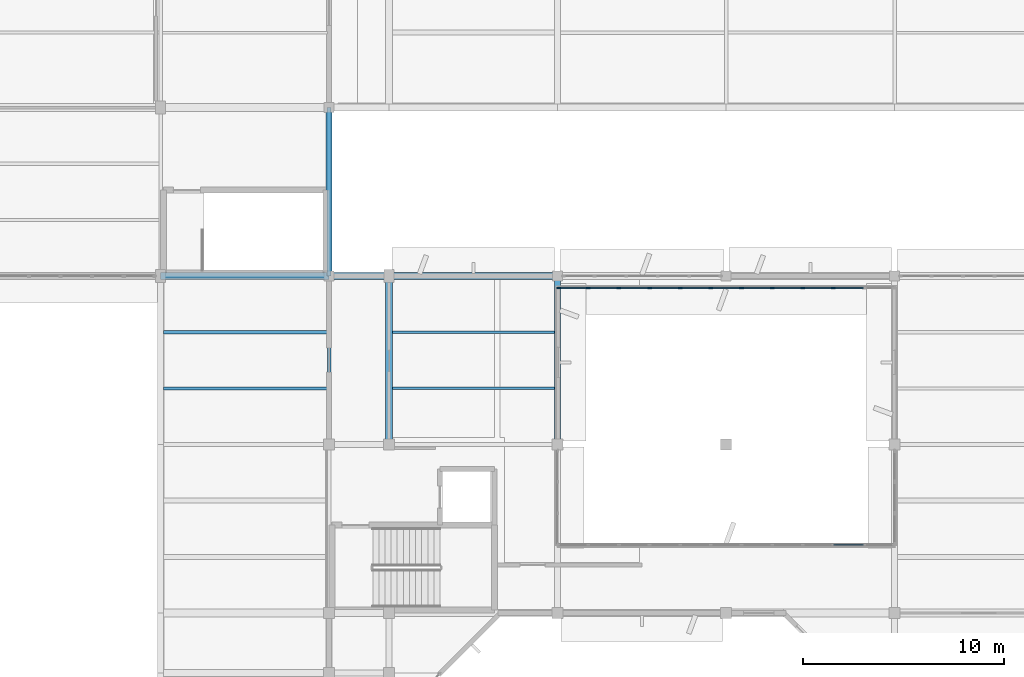
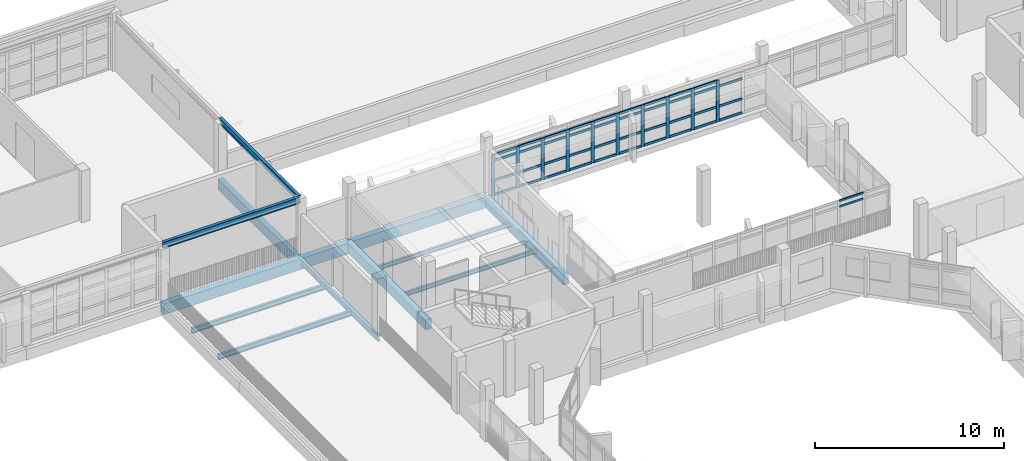
# One storey, part 30 of 92: 51 members, 13 beams, 2 elements without a shape of their own.
"""IFC4 building model written with IfcOpenShell, lengths in metres."""

from ifc_helpers import new_model, si_unit, direction, frame, origin, origin_2d, place, context, subcontext, project, spatial, rectangle, i_section, extrude, material, material_profile, profile_set, type_object, element, aggregate, save


model = new_model("IFC4")

# Units and contexts
model_context = context("Model", 3, precision=1e-05, world=origin(), true_north=direction((0.0, 1.0)))
body_context = subcontext(model_context, "Body", "Model", "MODEL_VIEW")
ifc_project = project(units=[si_unit("LENGTHUNIT", "METRE"), si_unit("AREAUNIT", "SQUARE_METRE"), si_unit("VOLUMEUNIT", "CUBIC_METRE"), si_unit("PLANEANGLEUNIT", "RADIAN"), si_unit("MASSUNIT", "GRAM", prefix="KILO")], contexts=[model_context])

# Site, building, storey
site_placement = place(None, origin())
site = spatial("IfcSite", under=ifc_project, at=site_placement, CompositionType="ELEMENT")
building_placement = place(site_placement, origin())
building = spatial("IfcBuilding", under=site, at=building_placement, Name="Vanh Quang Courtyard School", CompositionType="ELEMENT")
storey_placement = place(building_placement, frame((0.0, 0.0, 7.800048828125)))
storey = spatial("IfcBuildingStorey", under=building, at=storey_placement, Name="L02", CompositionType="ELEMENT", Elevation=7.800048828125)

# Beams
ifc_material_1 = material(Name="Concrete C35/45", Category="concrete")
ifc_material_profile_1 = material_profile(ifc_material_1, rectangle(XDim=0.35009765625, YDim=0.64990234375, at=origin_2d()), Name="RC-BM 350x650")
ifc_profile_set_1 = profile_set([ifc_material_profile_1], Name="Concrete C35/45")
beam_type_1 = type_object("IfcBeamType", Name="BM-RC-350x650", PredefinedType="BEAM", material=ifc_profile_set_1)
beam_1_placement = place(storey_placement, frame((40.800048828125, 79.800048828125, -0.625), z_axis=(0.0, 1.0, 0.0), x_axis=(-1.0, 0.0, 0.0)))
element("IfcBeam", 1, at=beam_1_placement, inside=storey, type_object=beam_type_1, Name="Beam B-05 (L02)", PredefinedType="BEAM", context=body_context, shape_type="SweptSolid", body=[
    extrude(rectangle(XDim=0.35009765625, YDim=0.64990234375, at=origin_2d()), origin(), (0.0, 0.0, 1.0), 8.39990234375),
])
ifc_material_profile_2 = material_profile(ifc_material_1, rectangle(XDim=0.35009765625, YDim=0.699951171875, at=origin_2d()), Name="RC-BM 350x700")
ifc_profile_set_2 = profile_set([ifc_material_profile_2], Name="Concrete C35/45")
beam_type_2 = type_object("IfcBeamType", Name="BM-RC-350x700", PredefinedType="BEAM", material=ifc_profile_set_2)
beam_2_placement = place(storey_placement, frame((29.39990234375, 88.199951171875, -0.670166015625), z_axis=(1.0, 0.0, 0.0), x_axis=(0.0, 1.0, 0.0)))
element("IfcBeam", 2, at=beam_2_placement, inside=storey, type_object=beam_type_2, Name="Beam B-04 (L02)", PredefinedType="BEAM", context=body_context, shape_type="SweptSolid", body=[
    extrude(rectangle(XDim=0.35009765625, YDim=0.699951171875, at=origin_2d()), origin(), (0.0, 0.0, 1.0), 8.400146484375),
])
beam_3_placement = place(storey_placement, frame((37.800048828125, 88.199951171875, -0.670166015625), z_axis=(1.0, 0.0, 0.0), x_axis=(0.0, 1.0, 0.0)))
element("IfcBeam", 3, at=beam_3_placement, inside=storey, type_object=beam_type_2, Name="Beam B-04 (L02)", PredefinedType="BEAM", context=body_context, shape_type="SweptSolid", body=[
    extrude(rectangle(XDim=0.35009765625, YDim=0.699951171875, at=origin_2d()), origin(), (0.0, 0.0, 1.0), 3.0),
])
beam_4_placement = place(storey_placement, frame((40.800048828125, 88.199951171875, -0.650146484375), z_axis=(1.0, 0.0, 0.0), x_axis=(0.0, 1.0, 0.0)))
element("IfcBeam", 4, at=beam_4_placement, inside=storey, type_object=beam_type_2, Name="Beam B-04 (L02)", PredefinedType="BEAM", context=body_context, shape_type="SweptSolid", body=[
    extrude(rectangle(XDim=0.35009765625, YDim=0.699951171875, at=origin_2d()), origin(), (0.0, 0.0, 1.0), 8.39990234375),
])
ifc_material_profile_3 = material_profile(ifc_material_1, rectangle(XDim=0.300048828125, YDim=0.699951171875, at=origin_2d()), Name="RC-SP 300x700")
ifc_profile_set_3 = profile_set([ifc_material_profile_3], Name="Concrete C35/45")
beam_type_3 = type_object("IfcBeamType", Name="BM-SP-300x700", PredefinedType="SPANDREL", material=ifc_profile_set_3)
beam_5_placement = place(storey_placement, frame((37.800048828125, 88.199951171875, -0.670166015625), z_axis=(0.0, 1.0, 0.0), x_axis=(-1.0, 0.0, 0.0)))
element("IfcBeam", 5, at=beam_5_placement, inside=storey, type_object=beam_type_3, Name="Beam BS-01 (L02)", PredefinedType="SPANDREL", context=body_context, shape_type="SweptSolid", body=[
    extrude(rectangle(XDim=0.300048828125, YDim=0.699951171875, at=origin_2d()), origin(), (0.0, 0.0, 1.0), 8.400146484375),
])
beam_6_placement = place(storey_placement, frame((49.199951171875, 79.800048828125, -0.650146484375), z_axis=(0.0, 1.0, 0.0), x_axis=(-1.0, 0.0, 0.0)))
element("IfcBeam", 6, at=beam_6_placement, inside=storey, type_object=beam_type_3, Name="Beam BS-01 (L02)", PredefinedType="SPANDREL", context=body_context, shape_type="SweptSolid", body=[
    extrude(rectangle(XDim=0.300048828125, YDim=0.699951171875, at=origin_2d()), origin(), (0.0, 0.0, 1.0), 8.39990234375),
])
ifc_material_2 = material(Name="Structural steel EN 10025-2 S355J2", Category="steel")
ifc_material_profile_4 = material_profile(ifc_material_2, i_section(OverallWidth=0.169921875, OverallDepth=0.360107421875, WebThickness=0.008056640625, FlangeThickness=0.0126953125, FilletRadius=0.01806640625, at=origin_2d()), Name="IPE 360")
ifc_profile_set_4 = profile_set([ifc_material_profile_4], Name="Structural steel EN 10025-2 S355J2")
beam_type_4 = type_object("IfcBeamType", Name="BM-STL-IPE360", PredefinedType="BEAM", material=ifc_profile_set_4)
beam_7_placement = place(storey_placement, frame((37.800048828125, 79.800048828125, -0.5), z_axis=(0.0, 1.0, 0.0), x_axis=(-1.0, 0.0, 0.0)))
element("IfcBeam", 7, at=beam_7_placement, inside=storey, type_object=beam_type_4, Name="Beam SB-06 (L02)", PredefinedType="BEAM", context=body_context, shape_type="SweptSolid", body=[
    extrude(i_section(OverallWidth=0.169921875, OverallDepth=0.360107421875, WebThickness=0.008056640625, FlangeThickness=0.0126953125, FilletRadius=0.01806640625, at=origin_2d()), origin(), (0.0, 0.0, 1.0), 8.39990234375),
])
ifc_material_profile_5 = material_profile(ifc_material_2, i_section(OverallWidth=0.179931640625, OverallDepth=0.39990234375, WebThickness=0.008544921875, FlangeThickness=0.013427734375, FilletRadius=0.02099609375, at=origin_2d()), Name="IPE 400")
ifc_profile_set_5 = profile_set([ifc_material_profile_5], Name="Structural steel EN 10025-2 S355J2")
beam_type_5 = type_object("IfcBeamType", Name="BM-STL-IPE400", PredefinedType="BEAM", material=ifc_profile_set_5)
for number, where, z_axis, x_axis, name in (
    (8, (29.39990234375, 88.199951171875, 3.39990234375), (1.0, 0.0, 0.0), (0.0, 1.0, 0.0), "Beam SB-05 (L02)"),
    (9, (37.800048828125, 88.199951171875, 3.39990234375), (0.0, 1.0, 0.0), (-1.0, 0.0, 0.0), "Beam SB-05 (L02)"),
):
    element("IfcBeam", number, at=place(storey_placement, frame(where, z_axis=z_axis, x_axis=x_axis)), inside=storey, type_object=beam_type_5, Name=name, PredefinedType="BEAM", context=body_context, shape_type="SweptSolid", body=[
        extrude(i_section(OverallWidth=0.179931640625, OverallDepth=0.39990234375, WebThickness=0.008544921875, FlangeThickness=0.013427734375, FilletRadius=0.02099609375, at=origin_2d()), origin(), (0.0, 0.0, 1.0), 8.400146484375),
    ])

# Curtain wall, members
ifc_material_3 = material(Name="Thermally broken aluminium unitised curtain wall", Category="aluminium")
curtain_wall_type = type_object("IfcCurtainWallType", Name="CW-SYS-54", PredefinedType="NOTDEFINED", material=ifc_material_3)
curtain_wall_1_placement = place(storey_placement, origin())
curtain_wall_1 = element("IfcCurtainWall", 10, at=curtain_wall_1_placement, inside=storey, type_object=curtain_wall_type, Name="Curtain Wall CW-54 (L02)", PredefinedType="NOTDEFINED")
ifc_material_4 = material(Name="Anodised aluminium 6063-T6", Category="aluminium")
ifc_material_profile_6 = material_profile(ifc_material_4, rectangle(XDim=0.080078125, YDim=0.199951171875, at=origin_2d()), Name="ALU-MUL 80x200")
ifc_profile_set_6 = profile_set([ifc_material_profile_6], Name="Anodised aluminium 6063-T6")
member_type_1 = type_object("IfcMemberType", Name="CW-MUL-80x200", PredefinedType="MULLION", material=ifc_profile_set_6)
member_1_placement = place(storey_placement, frame((62.945556640625, 87.60009765625, 0.0), z_axis=(0.0, 0.0, 1.0), x_axis=(0.0, -1.0, 0.0)))
member_1 = element("IfcMember", 11, at=member_1_placement, type_object=member_type_1, Name="CW-54 mullion 3", PredefinedType="MULLION", context=body_context, shape_type="SweptSolid", body=[
    extrude(rectangle(XDim=0.080078125, YDim=0.199951171875, at=origin_2d()), origin(), (0.0, 0.0, 1.0), 2.64990234375),
])
member_2_placement = place(storey_placement, frame((61.418212890625, 87.60009765625, 0.0), z_axis=(0.0, 0.0, 1.0), x_axis=(0.0, -1.0, 0.0)))
member_2 = element("IfcMember", 12, at=member_2_placement, type_object=member_type_1, Name="CW-54 mullion 4", PredefinedType="MULLION", context=body_context, shape_type="SweptSolid", body=[
    extrude(rectangle(XDim=0.080078125, YDim=0.199951171875, at=origin_2d()), origin(), (0.0, 0.0, 1.0), 2.64990234375),
])
member_3_placement = place(storey_placement, frame((59.890869140625, 87.60009765625, 0.0), z_axis=(0.0, 0.0, 1.0), x_axis=(0.0, -1.0, 0.0)))
member_3 = element("IfcMember", 13, at=member_3_placement, type_object=member_type_1, Name="CW-54 mullion 5", PredefinedType="MULLION", context=body_context, shape_type="SweptSolid", body=[
    extrude(rectangle(XDim=0.080078125, YDim=0.199951171875, at=origin_2d()), origin(), (0.0, 0.0, 1.0), 2.64990234375),
])
member_4_placement = place(storey_placement, frame((58.363525390625, 87.60009765625, 0.0), z_axis=(0.0, 0.0, 1.0), x_axis=(0.0, -1.0, 0.0)))
member_4 = element("IfcMember", 14, at=member_4_placement, type_object=member_type_1, Name="CW-54 mullion 6", PredefinedType="MULLION", context=body_context, shape_type="SweptSolid", body=[
    extrude(rectangle(XDim=0.080078125, YDim=0.199951171875, at=origin_2d()), origin(), (0.0, 0.0, 1.0), 2.64990234375),
])
member_5_placement = place(storey_placement, frame((56.83642578125, 87.60009765625, 0.0), z_axis=(0.0, 0.0, 1.0), x_axis=(0.0, -1.0, 0.0)))
member_5 = element("IfcMember", 15, at=member_5_placement, type_object=member_type_1, Name="CW-54 mullion 7", PredefinedType="MULLION", context=body_context, shape_type="SweptSolid", body=[
    extrude(rectangle(XDim=0.080078125, YDim=0.199951171875, at=origin_2d()), origin(), (0.0, 0.0, 1.0), 2.64990234375),
])
member_6_placement = place(storey_placement, frame((55.30908203125, 87.60009765625, 0.0), z_axis=(0.0, 0.0, 1.0), x_axis=(0.0, -1.0, 0.0)))
member_6 = element("IfcMember", 16, at=member_6_placement, type_object=member_type_1, Name="CW-54 mullion 8", PredefinedType="MULLION", context=body_context, shape_type="SweptSolid", body=[
    extrude(rectangle(XDim=0.080078125, YDim=0.199951171875, at=origin_2d()), origin(), (0.0, 0.0, 1.0), 2.64990234375),
])
member_7_placement = place(storey_placement, frame((53.78173828125, 87.60009765625, 0.0), z_axis=(0.0, 0.0, 1.0), x_axis=(0.0, -1.0, 0.0)))
member_7 = element("IfcMember", 17, at=member_7_placement, type_object=member_type_1, Name="CW-54 mullion 9", PredefinedType="MULLION", context=body_context, shape_type="SweptSolid", body=[
    extrude(rectangle(XDim=0.080078125, YDim=0.199951171875, at=origin_2d()), origin(), (0.0, 0.0, 1.0), 2.64990234375),
])
member_8_placement = place(storey_placement, frame((52.254638671875, 87.60009765625, 0.0), z_axis=(0.0, 0.0, 1.0), x_axis=(0.0, -1.0, 0.0)))
member_8 = element("IfcMember", 18, at=member_8_placement, type_object=member_type_1, Name="CW-54 mullion 10", PredefinedType="MULLION", context=body_context, shape_type="SweptSolid", body=[
    extrude(rectangle(XDim=0.080078125, YDim=0.199951171875, at=origin_2d()), origin(), (0.0, 0.0, 1.0), 2.64990234375),
])
member_9_placement = place(storey_placement, frame((50.727294921875, 87.60009765625, 0.0), z_axis=(0.0, 0.0, 1.0), x_axis=(0.0, -1.0, 0.0)))
member_9 = element("IfcMember", 19, at=member_9_placement, type_object=member_type_1, Name="CW-54 mullion 11", PredefinedType="MULLION", context=body_context, shape_type="SweptSolid", body=[
    extrude(rectangle(XDim=0.080078125, YDim=0.199951171875, at=origin_2d()), origin(), (0.0, 0.0, 1.0), 2.64990234375),
])
member_10_placement = place(storey_placement, frame((49.239990234375, 87.60009765625, 0.0), z_axis=(0.0, 0.0, 1.0), x_axis=(0.0, -1.0, 0.0)))
member_10 = element("IfcMember", 20, at=member_10_placement, type_object=member_type_1, Name="CW-54 mullion 12", PredefinedType="MULLION", context=body_context, shape_type="SweptSolid", body=[
    extrude(rectangle(XDim=0.080078125, YDim=0.199951171875, at=origin_2d()), origin(), (0.0, 0.0, 1.0), 2.64990234375),
])

curtain_wall_2_placement = place(storey_placement, origin())
curtain_wall_2 = element("IfcCurtainWall", 21, at=curtain_wall_2_placement, inside=storey, type_object=curtain_wall_type, Name="Curtain Wall CW-54 (L02)", PredefinedType="NOTDEFINED")
ifc_material_profile_7 = material_profile(ifc_material_4, rectangle(XDim=0.06005859375, YDim=0.1201171875, at=origin_2d()), Name="ALU-TRN 60x120")
ifc_profile_set_7 = profile_set([ifc_material_profile_7], Name="Anodised aluminium 6063-T6")
member_type_2 = type_object("IfcMemberType", Name="CW-TRN-60x120", PredefinedType="USERDEFINED", material=ifc_profile_set_7)
member_11_placement = place(storey_placement, frame((62.975341796875, 74.800048828125, 2.25), z_axis=(1.0, 0.0, 0.0), x_axis=(0.0, 1.0, 0.0)))
member_11 = element("IfcMember", 22, at=member_11_placement, type_object=member_type_2, Name="CW-54 transom 10.3", ObjectType="TRANSOM", PredefinedType="USERDEFINED", context=body_context, shape_type="SweptSolid", body=[
    extrude(rectangle(XDim=0.06005859375, YDim=0.1201171875, at=origin_2d()), origin(), (0.0, 0.0, 1.0), 1.46728515625),
])
member_12_placement = place(storey_placement, frame((62.975341796875, 74.800048828125, 2.619873046875), z_axis=(1.0, 0.0, 0.0), x_axis=(0.0, 1.0, 0.0)))
member_12 = element("IfcMember", 23, at=member_12_placement, type_object=member_type_2, Name="CW-54 transom 10.4", ObjectType="TRANSOM", PredefinedType="USERDEFINED", context=body_context, shape_type="SweptSolid", body=[
    extrude(rectangle(XDim=0.06005859375, YDim=0.1201171875, at=origin_2d()), origin(), (0.0, 0.0, 1.0), 1.46728515625),
])
aggregate(curtain_wall_2, [member_11, member_12])

# Member
ifc_material_profile_8 = material_profile(ifc_material_4, rectangle(XDim=0.080078125, YDim=0.14990234375, at=origin_2d()), Name="ALU-TRN 80x150")
ifc_profile_set_8 = profile_set([ifc_material_profile_8], Name="Anodised aluminium 6063-T6")
member_type_3 = type_object("IfcMemberType", Name="CW-TRN-80x150", PredefinedType="USERDEFINED", material=ifc_profile_set_8)
member_13_placement = place(storey_placement, frame((64.4326171875, 87.60009765625, 0.0400390625), z_axis=(-1.0, 0.0, 0.0), x_axis=(0.0, -1.0, 0.0)))
member_13 = element("IfcMember", 24, at=member_13_placement, type_object=member_type_3, Name="CW-54 transom 2.1", ObjectType="TRANSOM", PredefinedType="USERDEFINED", context=body_context, shape_type="SweptSolid", body=[
    extrude(rectangle(XDim=0.080078125, YDim=0.14990234375, at=origin_2d()), origin(), (0.0, 0.0, 1.0), 1.447265625),
])

member_14_placement = place(storey_placement, frame((64.4326171875, 87.60009765625, 0.949951171875), z_axis=(-1.0, 0.0, 0.0), x_axis=(0.0, -1.0, 0.0)))
member_14 = element("IfcMember", 25, at=member_14_placement, type_object=member_type_3, Name="CW-54 transom 2.2", ObjectType="TRANSOM", PredefinedType="USERDEFINED", context=body_context, shape_type="SweptSolid", body=[
    extrude(rectangle(XDim=0.080078125, YDim=0.14990234375, at=origin_2d()), origin(), (0.0, 0.0, 1.0), 1.447265625),
])

member_15_placement = place(storey_placement, frame((64.4326171875, 87.60009765625, 2.25), z_axis=(-1.0, 0.0, 0.0), x_axis=(0.0, -1.0, 0.0)))
member_15 = element("IfcMember", 26, at=member_15_placement, type_object=member_type_3, Name="CW-54 transom 2.3", ObjectType="TRANSOM", PredefinedType="USERDEFINED", context=body_context, shape_type="SweptSolid", body=[
    extrude(rectangle(XDim=0.080078125, YDim=0.14990234375, at=origin_2d()), origin(), (0.0, 0.0, 1.0), 1.447265625),
])

member_16_placement = place(storey_placement, frame((62.905517578125, 87.60009765625, 0.0400390625), z_axis=(-1.0, 0.0, 0.0), x_axis=(0.0, -1.0, 0.0)))
member_16 = element("IfcMember", 27, at=member_16_placement, type_object=member_type_3, Name="CW-54 transom 3.1", ObjectType="TRANSOM", PredefinedType="USERDEFINED", context=body_context, shape_type="SweptSolid", body=[
    extrude(rectangle(XDim=0.080078125, YDim=0.14990234375, at=origin_2d()), origin(), (0.0, 0.0, 1.0), 1.447265625),
])

member_17_placement = place(storey_placement, frame((62.905517578125, 87.60009765625, 0.949951171875), z_axis=(-1.0, 0.0, 0.0), x_axis=(0.0, -1.0, 0.0)))
member_17 = element("IfcMember", 28, at=member_17_placement, type_object=member_type_3, Name="CW-54 transom 3.2", ObjectType="TRANSOM", PredefinedType="USERDEFINED", context=body_context, shape_type="SweptSolid", body=[
    extrude(rectangle(XDim=0.080078125, YDim=0.14990234375, at=origin_2d()), origin(), (0.0, 0.0, 1.0), 1.447265625),
])

member_18_placement = place(storey_placement, frame((62.905517578125, 87.60009765625, 2.25), z_axis=(-1.0, 0.0, 0.0), x_axis=(0.0, -1.0, 0.0)))
member_18 = element("IfcMember", 29, at=member_18_placement, type_object=member_type_3, Name="CW-54 transom 3.3", ObjectType="TRANSOM", PredefinedType="USERDEFINED", context=body_context, shape_type="SweptSolid", body=[
    extrude(rectangle(XDim=0.080078125, YDim=0.14990234375, at=origin_2d()), origin(), (0.0, 0.0, 1.0), 1.447265625),
])

member_19_placement = place(storey_placement, frame((62.905517578125, 87.60009765625, 2.60986328125), z_axis=(-1.0, 0.0, 0.0), x_axis=(0.0, -1.0, 0.0)))
member_19 = element("IfcMember", 30, at=member_19_placement, type_object=member_type_3, Name="CW-54 transom 3.4", ObjectType="TRANSOM", PredefinedType="USERDEFINED", context=body_context, shape_type="SweptSolid", body=[
    extrude(rectangle(XDim=0.080078125, YDim=0.14990234375, at=origin_2d()), origin(), (0.0, 0.0, 1.0), 1.447265625),
])

member_20_placement = place(storey_placement, frame((61.378173828125, 87.60009765625, 0.0400390625), z_axis=(-1.0, 0.0, 0.0), x_axis=(0.0, -1.0, 0.0)))
member_20 = element("IfcMember", 31, at=member_20_placement, type_object=member_type_3, Name="CW-54 transom 4.1", ObjectType="TRANSOM", PredefinedType="USERDEFINED", context=body_context, shape_type="SweptSolid", body=[
    extrude(rectangle(XDim=0.080078125, YDim=0.14990234375, at=origin_2d()), origin(), (0.0, 0.0, 1.0), 1.447265625),
])

member_21_placement = place(storey_placement, frame((61.378173828125, 87.60009765625, 0.949951171875), z_axis=(-1.0, 0.0, 0.0), x_axis=(0.0, -1.0, 0.0)))
member_21 = element("IfcMember", 32, at=member_21_placement, type_object=member_type_3, Name="CW-54 transom 4.2", ObjectType="TRANSOM", PredefinedType="USERDEFINED", context=body_context, shape_type="SweptSolid", body=[
    extrude(rectangle(XDim=0.080078125, YDim=0.14990234375, at=origin_2d()), origin(), (0.0, 0.0, 1.0), 1.447265625),
])

member_22_placement = place(storey_placement, frame((61.378173828125, 87.60009765625, 2.25), z_axis=(-1.0, 0.0, 0.0), x_axis=(0.0, -1.0, 0.0)))
member_22 = element("IfcMember", 33, at=member_22_placement, type_object=member_type_3, Name="CW-54 transom 4.3", ObjectType="TRANSOM", PredefinedType="USERDEFINED", context=body_context, shape_type="SweptSolid", body=[
    extrude(rectangle(XDim=0.080078125, YDim=0.14990234375, at=origin_2d()), origin(), (0.0, 0.0, 1.0), 1.447265625),
])

member_23_placement = place(storey_placement, frame((61.378173828125, 87.60009765625, 2.60986328125), z_axis=(-1.0, 0.0, 0.0), x_axis=(0.0, -1.0, 0.0)))
member_23 = element("IfcMember", 34, at=member_23_placement, type_object=member_type_3, Name="CW-54 transom 4.4", ObjectType="TRANSOM", PredefinedType="USERDEFINED", context=body_context, shape_type="SweptSolid", body=[
    extrude(rectangle(XDim=0.080078125, YDim=0.14990234375, at=origin_2d()), origin(), (0.0, 0.0, 1.0), 1.447265625),
])

member_24_placement = place(storey_placement, frame((59.850830078125, 87.60009765625, 0.0400390625), z_axis=(-1.0, 0.0, 0.0), x_axis=(0.0, -1.0, 0.0)))
member_24 = element("IfcMember", 35, at=member_24_placement, type_object=member_type_3, Name="CW-54 transom 5.1", ObjectType="TRANSOM", PredefinedType="USERDEFINED", context=body_context, shape_type="SweptSolid", body=[
    extrude(rectangle(XDim=0.080078125, YDim=0.14990234375, at=origin_2d()), origin(), (0.0, 0.0, 1.0), 1.447265625),
])

member_25_placement = place(storey_placement, frame((59.850830078125, 87.60009765625, 0.949951171875), z_axis=(-1.0, 0.0, 0.0), x_axis=(0.0, -1.0, 0.0)))
member_25 = element("IfcMember", 36, at=member_25_placement, type_object=member_type_3, Name="CW-54 transom 5.2", ObjectType="TRANSOM", PredefinedType="USERDEFINED", context=body_context, shape_type="SweptSolid", body=[
    extrude(rectangle(XDim=0.080078125, YDim=0.14990234375, at=origin_2d()), origin(), (0.0, 0.0, 1.0), 1.447265625),
])

member_26_placement = place(storey_placement, frame((59.850830078125, 87.60009765625, 2.25), z_axis=(-1.0, 0.0, 0.0), x_axis=(0.0, -1.0, 0.0)))
member_26 = element("IfcMember", 37, at=member_26_placement, type_object=member_type_3, Name="CW-54 transom 5.3", ObjectType="TRANSOM", PredefinedType="USERDEFINED", context=body_context, shape_type="SweptSolid", body=[
    extrude(rectangle(XDim=0.080078125, YDim=0.14990234375, at=origin_2d()), origin(), (0.0, 0.0, 1.0), 1.447265625),
])

member_27_placement = place(storey_placement, frame((59.850830078125, 87.60009765625, 2.60986328125), z_axis=(-1.0, 0.0, 0.0), x_axis=(0.0, -1.0, 0.0)))
member_27 = element("IfcMember", 38, at=member_27_placement, type_object=member_type_3, Name="CW-54 transom 5.4", ObjectType="TRANSOM", PredefinedType="USERDEFINED", context=body_context, shape_type="SweptSolid", body=[
    extrude(rectangle(XDim=0.080078125, YDim=0.14990234375, at=origin_2d()), origin(), (0.0, 0.0, 1.0), 1.447265625),
])

member_28_placement = place(storey_placement, frame((58.32373046875, 87.60009765625, 0.0400390625), z_axis=(-1.0, 0.0, 0.0), x_axis=(0.0, -1.0, 0.0)))
member_28 = element("IfcMember", 39, at=member_28_placement, type_object=member_type_3, Name="CW-54 transom 6.1", ObjectType="TRANSOM", PredefinedType="USERDEFINED", context=body_context, shape_type="SweptSolid", body=[
    extrude(rectangle(XDim=0.080078125, YDim=0.14990234375, at=origin_2d()), origin(), (0.0, 0.0, 1.0), 1.447265625),
])

member_29_placement = place(storey_placement, frame((58.32373046875, 87.60009765625, 0.949951171875), z_axis=(-1.0, 0.0, 0.0), x_axis=(0.0, -1.0, 0.0)))
member_29 = element("IfcMember", 40, at=member_29_placement, type_object=member_type_3, Name="CW-54 transom 6.2", ObjectType="TRANSOM", PredefinedType="USERDEFINED", context=body_context, shape_type="SweptSolid", body=[
    extrude(rectangle(XDim=0.080078125, YDim=0.14990234375, at=origin_2d()), origin(), (0.0, 0.0, 1.0), 1.447265625),
])

member_30_placement = place(storey_placement, frame((58.32373046875, 87.60009765625, 2.25), z_axis=(-1.0, 0.0, 0.0), x_axis=(0.0, -1.0, 0.0)))
member_30 = element("IfcMember", 41, at=member_30_placement, type_object=member_type_3, Name="CW-54 transom 6.3", ObjectType="TRANSOM", PredefinedType="USERDEFINED", context=body_context, shape_type="SweptSolid", body=[
    extrude(rectangle(XDim=0.080078125, YDim=0.14990234375, at=origin_2d()), origin(), (0.0, 0.0, 1.0), 1.447265625),
])

member_31_placement = place(storey_placement, frame((58.32373046875, 87.60009765625, 2.60986328125), z_axis=(-1.0, 0.0, 0.0), x_axis=(0.0, -1.0, 0.0)))
member_31 = element("IfcMember", 42, at=member_31_placement, type_object=member_type_3, Name="CW-54 transom 6.4", ObjectType="TRANSOM", PredefinedType="USERDEFINED", context=body_context, shape_type="SweptSolid", body=[
    extrude(rectangle(XDim=0.080078125, YDim=0.14990234375, at=origin_2d()), origin(), (0.0, 0.0, 1.0), 1.447265625),
])

member_32_placement = place(storey_placement, frame((56.79638671875, 87.60009765625, 0.0400390625), z_axis=(-1.0, 0.0, 0.0), x_axis=(0.0, -1.0, 0.0)))
member_32 = element("IfcMember", 43, at=member_32_placement, type_object=member_type_3, Name="CW-54 transom 7.1", ObjectType="TRANSOM", PredefinedType="USERDEFINED", context=body_context, shape_type="SweptSolid", body=[
    extrude(rectangle(XDim=0.080078125, YDim=0.14990234375, at=origin_2d()), origin(), (0.0, 0.0, 1.0), 1.447265625),
])

member_33_placement = place(storey_placement, frame((56.79638671875, 87.60009765625, 0.949951171875), z_axis=(-1.0, 0.0, 0.0), x_axis=(0.0, -1.0, 0.0)))
member_33 = element("IfcMember", 44, at=member_33_placement, type_object=member_type_3, Name="CW-54 transom 7.2", ObjectType="TRANSOM", PredefinedType="USERDEFINED", context=body_context, shape_type="SweptSolid", body=[
    extrude(rectangle(XDim=0.080078125, YDim=0.14990234375, at=origin_2d()), origin(), (0.0, 0.0, 1.0), 1.447265625),
])

member_34_placement = place(storey_placement, frame((56.79638671875, 87.60009765625, 2.25), z_axis=(-1.0, 0.0, 0.0), x_axis=(0.0, -1.0, 0.0)))
member_34 = element("IfcMember", 45, at=member_34_placement, type_object=member_type_3, Name="CW-54 transom 7.3", ObjectType="TRANSOM", PredefinedType="USERDEFINED", context=body_context, shape_type="SweptSolid", body=[
    extrude(rectangle(XDim=0.080078125, YDim=0.14990234375, at=origin_2d()), origin(), (0.0, 0.0, 1.0), 1.447265625),
])

member_35_placement = place(storey_placement, frame((56.79638671875, 87.60009765625, 2.60986328125), z_axis=(-1.0, 0.0, 0.0), x_axis=(0.0, -1.0, 0.0)))
member_35 = element("IfcMember", 46, at=member_35_placement, type_object=member_type_3, Name="CW-54 transom 7.4", ObjectType="TRANSOM", PredefinedType="USERDEFINED", context=body_context, shape_type="SweptSolid", body=[
    extrude(rectangle(XDim=0.080078125, YDim=0.14990234375, at=origin_2d()), origin(), (0.0, 0.0, 1.0), 1.447265625),
])

member_36_placement = place(storey_placement, frame((55.26904296875, 87.60009765625, 0.0400390625), z_axis=(-1.0, 0.0, 0.0), x_axis=(0.0, -1.0, 0.0)))
member_36 = element("IfcMember", 47, at=member_36_placement, type_object=member_type_3, Name="CW-54 transom 8.1", ObjectType="TRANSOM", PredefinedType="USERDEFINED", context=body_context, shape_type="SweptSolid", body=[
    extrude(rectangle(XDim=0.080078125, YDim=0.14990234375, at=origin_2d()), origin(), (0.0, 0.0, 1.0), 1.447265625),
])

member_37_placement = place(storey_placement, frame((55.26904296875, 87.60009765625, 0.949951171875), z_axis=(-1.0, 0.0, 0.0), x_axis=(0.0, -1.0, 0.0)))
member_37 = element("IfcMember", 48, at=member_37_placement, type_object=member_type_3, Name="CW-54 transom 8.2", ObjectType="TRANSOM", PredefinedType="USERDEFINED", context=body_context, shape_type="SweptSolid", body=[
    extrude(rectangle(XDim=0.080078125, YDim=0.14990234375, at=origin_2d()), origin(), (0.0, 0.0, 1.0), 1.447265625),
])

member_38_placement = place(storey_placement, frame((55.26904296875, 87.60009765625, 2.25), z_axis=(-1.0, 0.0, 0.0), x_axis=(0.0, -1.0, 0.0)))
member_38 = element("IfcMember", 49, at=member_38_placement, type_object=member_type_3, Name="CW-54 transom 8.3", ObjectType="TRANSOM", PredefinedType="USERDEFINED", context=body_context, shape_type="SweptSolid", body=[
    extrude(rectangle(XDim=0.080078125, YDim=0.14990234375, at=origin_2d()), origin(), (0.0, 0.0, 1.0), 1.447265625),
])

member_39_placement = place(storey_placement, frame((55.26904296875, 87.60009765625, 2.60986328125), z_axis=(-1.0, 0.0, 0.0), x_axis=(0.0, -1.0, 0.0)))
member_39 = element("IfcMember", 50, at=member_39_placement, type_object=member_type_3, Name="CW-54 transom 8.4", ObjectType="TRANSOM", PredefinedType="USERDEFINED", context=body_context, shape_type="SweptSolid", body=[
    extrude(rectangle(XDim=0.080078125, YDim=0.14990234375, at=origin_2d()), origin(), (0.0, 0.0, 1.0), 1.447265625),
])

member_40_placement = place(storey_placement, frame((53.74169921875, 87.60009765625, 0.0400390625), z_axis=(-1.0, 0.0, 0.0), x_axis=(0.0, -1.0, 0.0)))
member_40 = element("IfcMember", 51, at=member_40_placement, type_object=member_type_3, Name="CW-54 transom 9.1", ObjectType="TRANSOM", PredefinedType="USERDEFINED", context=body_context, shape_type="SweptSolid", body=[
    extrude(rectangle(XDim=0.080078125, YDim=0.14990234375, at=origin_2d()), origin(), (0.0, 0.0, 1.0), 1.447265625),
])

member_41_placement = place(storey_placement, frame((53.74169921875, 87.60009765625, 0.949951171875), z_axis=(-1.0, 0.0, 0.0), x_axis=(0.0, -1.0, 0.0)))
member_41 = element("IfcMember", 52, at=member_41_placement, type_object=member_type_3, Name="CW-54 transom 9.2", ObjectType="TRANSOM", PredefinedType="USERDEFINED", context=body_context, shape_type="SweptSolid", body=[
    extrude(rectangle(XDim=0.080078125, YDim=0.14990234375, at=origin_2d()), origin(), (0.0, 0.0, 1.0), 1.447265625),
])

member_42_placement = place(storey_placement, frame((53.74169921875, 87.60009765625, 2.25), z_axis=(-1.0, 0.0, 0.0), x_axis=(0.0, -1.0, 0.0)))
member_42 = element("IfcMember", 53, at=member_42_placement, type_object=member_type_3, Name="CW-54 transom 9.3", ObjectType="TRANSOM", PredefinedType="USERDEFINED", context=body_context, shape_type="SweptSolid", body=[
    extrude(rectangle(XDim=0.080078125, YDim=0.14990234375, at=origin_2d()), origin(), (0.0, 0.0, 1.0), 1.447265625),
])

member_43_placement = place(storey_placement, frame((53.74169921875, 87.60009765625, 2.60986328125), z_axis=(-1.0, 0.0, 0.0), x_axis=(0.0, -1.0, 0.0)))
member_43 = element("IfcMember", 54, at=member_43_placement, type_object=member_type_3, Name="CW-54 transom 9.4", ObjectType="TRANSOM", PredefinedType="USERDEFINED", context=body_context, shape_type="SweptSolid", body=[
    extrude(rectangle(XDim=0.080078125, YDim=0.14990234375, at=origin_2d()), origin(), (0.0, 0.0, 1.0), 1.447265625),
])

member_44_placement = place(storey_placement, frame((52.214599609375, 87.60009765625, 0.0400390625), z_axis=(-1.0, 0.0, 0.0), x_axis=(0.0, -1.0, 0.0)))
member_44 = element("IfcMember", 55, at=member_44_placement, type_object=member_type_3, Name="CW-54 transom 10.1", ObjectType="TRANSOM", PredefinedType="USERDEFINED", context=body_context, shape_type="SweptSolid", body=[
    extrude(rectangle(XDim=0.080078125, YDim=0.14990234375, at=origin_2d()), origin(), (0.0, 0.0, 1.0), 1.447265625),
])

member_45_placement = place(storey_placement, frame((52.214599609375, 87.60009765625, 0.949951171875), z_axis=(-1.0, 0.0, 0.0), x_axis=(0.0, -1.0, 0.0)))
member_45 = element("IfcMember", 56, at=member_45_placement, type_object=member_type_3, Name="CW-54 transom 10.2", ObjectType="TRANSOM", PredefinedType="USERDEFINED", context=body_context, shape_type="SweptSolid", body=[
    extrude(rectangle(XDim=0.080078125, YDim=0.14990234375, at=origin_2d()), origin(), (0.0, 0.0, 1.0), 1.447265625),
])

member_46_placement = place(storey_placement, frame((52.214599609375, 87.60009765625, 2.25), z_axis=(-1.0, 0.0, 0.0), x_axis=(0.0, -1.0, 0.0)))
member_46 = element("IfcMember", 57, at=member_46_placement, type_object=member_type_3, Name="CW-54 transom 10.3", ObjectType="TRANSOM", PredefinedType="USERDEFINED", context=body_context, shape_type="SweptSolid", body=[
    extrude(rectangle(XDim=0.080078125, YDim=0.14990234375, at=origin_2d()), origin(), (0.0, 0.0, 1.0), 1.447265625),
])

member_47_placement = place(storey_placement, frame((52.214599609375, 87.60009765625, 2.60986328125), z_axis=(-1.0, 0.0, 0.0), x_axis=(0.0, -1.0, 0.0)))
member_47 = element("IfcMember", 58, at=member_47_placement, type_object=member_type_3, Name="CW-54 transom 10.4", ObjectType="TRANSOM", PredefinedType="USERDEFINED", context=body_context, shape_type="SweptSolid", body=[
    extrude(rectangle(XDim=0.080078125, YDim=0.14990234375, at=origin_2d()), origin(), (0.0, 0.0, 1.0), 1.447265625),
])

member_48_placement = place(storey_placement, frame((50.687255859375, 87.60009765625, 0.0400390625), z_axis=(-1.0, 0.0, 0.0), x_axis=(0.0, -1.0, 0.0)))
member_48 = element("IfcMember", 59, at=member_48_placement, type_object=member_type_3, Name="CW-54 transom 11.1", ObjectType="TRANSOM", PredefinedType="USERDEFINED", context=body_context, shape_type="SweptSolid", body=[
    extrude(rectangle(XDim=0.080078125, YDim=0.14990234375, at=origin_2d()), origin(), (0.0, 0.0, 1.0), 1.4072265625),
])

member_49_placement = place(storey_placement, frame((50.687255859375, 87.60009765625, 0.949951171875), z_axis=(-1.0, 0.0, 0.0), x_axis=(0.0, -1.0, 0.0)))
member_49 = element("IfcMember", 60, at=member_49_placement, type_object=member_type_3, Name="CW-54 transom 11.2", ObjectType="TRANSOM", PredefinedType="USERDEFINED", context=body_context, shape_type="SweptSolid", body=[
    extrude(rectangle(XDim=0.080078125, YDim=0.14990234375, at=origin_2d()), origin(), (0.0, 0.0, 1.0), 1.4072265625),
])

member_50_placement = place(storey_placement, frame((50.687255859375, 87.60009765625, 2.25), z_axis=(-1.0, 0.0, 0.0), x_axis=(0.0, -1.0, 0.0)))
member_50 = element("IfcMember", 61, at=member_50_placement, type_object=member_type_3, Name="CW-54 transom 11.3", ObjectType="TRANSOM", PredefinedType="USERDEFINED", context=body_context, shape_type="SweptSolid", body=[
    extrude(rectangle(XDim=0.080078125, YDim=0.14990234375, at=origin_2d()), origin(), (0.0, 0.0, 1.0), 1.4072265625),
])

member_51_placement = place(storey_placement, frame((50.687255859375, 87.60009765625, 2.60986328125), z_axis=(-1.0, 0.0, 0.0), x_axis=(0.0, -1.0, 0.0)))
member_51 = element("IfcMember", 62, at=member_51_placement, type_object=member_type_3, Name="CW-54 transom 11.4", ObjectType="TRANSOM", PredefinedType="USERDEFINED", context=body_context, shape_type="SweptSolid", body=[
    extrude(rectangle(XDim=0.080078125, YDim=0.14990234375, at=origin_2d()), origin(), (0.0, 0.0, 1.0), 1.4072265625),
])

aggregate(curtain_wall_1, [member_1, member_2, member_3, member_4, member_5, member_6, member_7, member_8, member_9, member_10, member_13, member_14, member_15, member_16, member_17, member_18, member_19, member_20, member_21, member_22, member_23, member_24, member_25, member_26, member_27, member_28, member_29, member_30, member_31, member_32, member_33, member_34, member_35, member_36, member_37, member_38, member_39, member_40, member_41, member_42, member_43, member_44, member_45, member_46, member_47, member_48, member_49, member_50, member_51])

# Beams
ifc_material_profile_9 = material_profile(ifc_material_2, i_section(OverallWidth=0.135009765625, OverallDepth=0.27001953125, WebThickness=0.006591796875, FlangeThickness=0.01025390625, FilletRadius=0.014892578125, at=origin_2d()), Name="IPE 270")
ifc_profile_set_9 = profile_set([ifc_material_profile_9], Name="Structural steel EN 10025-2 S355J2")
beam_type_6 = type_object("IfcBeamType", Name="JST-STL-IPE270", PredefinedType="JOIST", material=ifc_profile_set_9)
for number, where, z_axis, x_axis, name in (
    (63, (40.97509765625, 82.60009765625, -0.43505859375), (1.0, 0.0, 0.0), (0.0, 1.0, 0.0), "Beam SJ-03 (L02)"),
    (64, (40.97509765625, 85.39990234375, -0.43505859375), (1.0, 0.0, 0.0), (0.0, 1.0, 0.0), "Beam SJ-03 (L02)"),
):
    element("IfcBeam", number, at=place(storey_placement, frame(where, z_axis=z_axis, x_axis=x_axis)), inside=storey, type_object=beam_type_6, Name=name, PredefinedType="JOIST", context=body_context, shape_type="SweptSolid", body=[
        extrude(i_section(OverallWidth=0.135009765625, OverallDepth=0.27001953125, WebThickness=0.006591796875, FlangeThickness=0.01025390625, FilletRadius=0.014892578125, at=origin_2d()), origin(), (0.0, 0.0, 1.0), 8.074951171875),
    ])
ifc_material_profile_10 = material_profile(ifc_material_2, i_section(OverallWidth=0.159912109375, OverallDepth=0.330078125, WebThickness=0.007568359375, FlangeThickness=0.011474609375, FilletRadius=0.01806640625, at=origin_2d()), Name="IPE 330")
ifc_profile_set_10 = profile_set([ifc_material_profile_10], Name="Structural steel EN 10025-2 S355J2")
beam_type_7 = type_object("IfcBeamType", Name="JST-STL-IPE330", PredefinedType="JOIST", material=ifc_profile_set_10)
for number, where, z_axis, x_axis, name in (
    (65, (29.550048828125, 82.60009765625, -0.485107421875), (1.0, 0.0, 0.0), (0.0, 1.0, 0.0), "Beam SJ-01 (L02)"),
    (66, (29.550048828125, 85.39990234375, -0.485107421875), (1.0, 0.0, 0.0), (0.0, 1.0, 0.0), "Beam SJ-01 (L02)"),
):
    element("IfcBeam", number, at=place(storey_placement, frame(where, z_axis=z_axis, x_axis=x_axis)), inside=storey, type_object=beam_type_7, Name=name, PredefinedType="JOIST", context=body_context, shape_type="SweptSolid", body=[
        extrude(i_section(OverallWidth=0.159912109375, OverallDepth=0.330078125, WebThickness=0.007568359375, FlangeThickness=0.011474609375, FilletRadius=0.01806640625, at=origin_2d()), origin(), (0.0, 0.0, 1.0), 8.1650390625),
    ])

save(model, "model.ifc")
